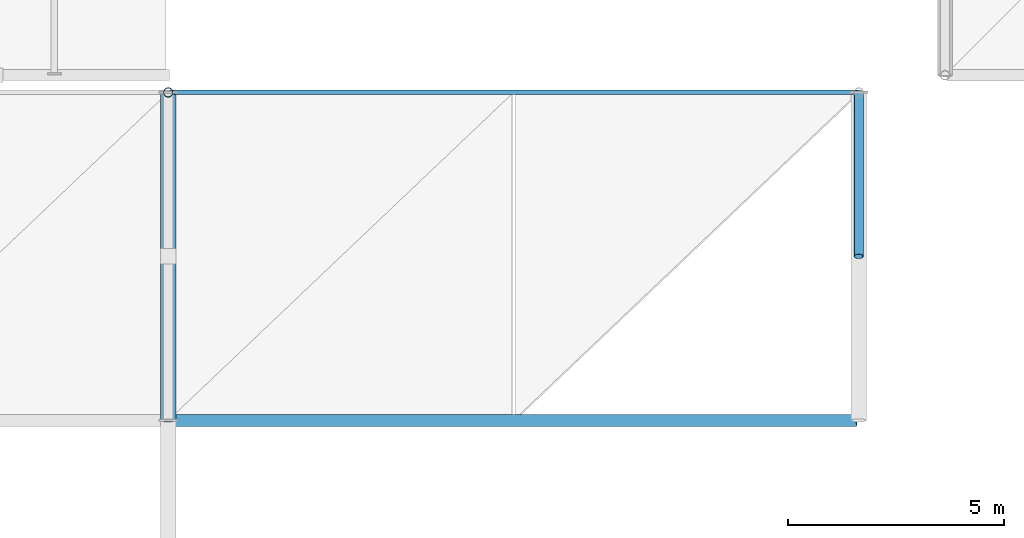
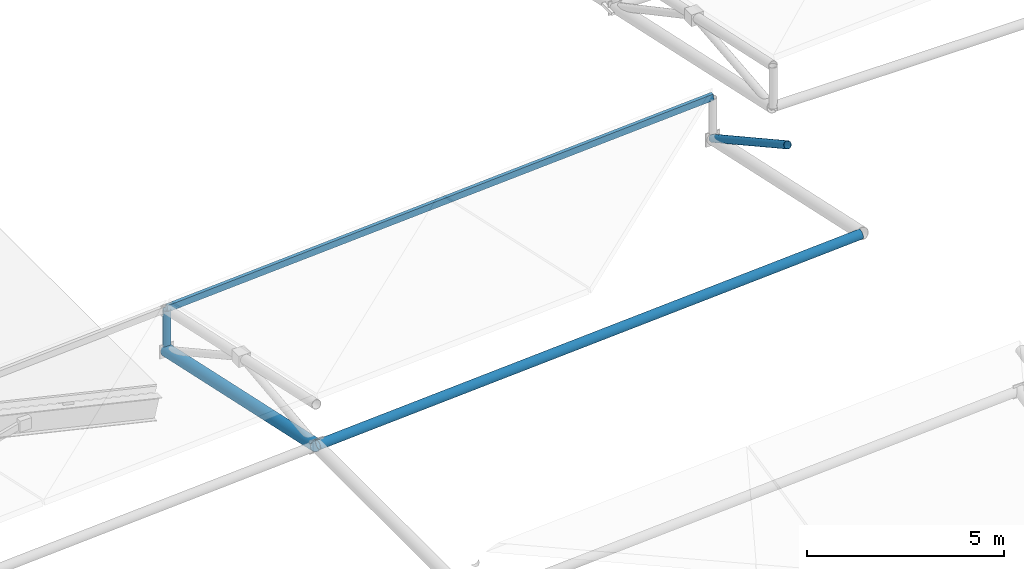
# One storey, part 20 of 67: 3 members, 2 beams.
"""IFC4 building model written with IfcOpenShell, lengths in metres."""

from ifc_helpers import new_model, si_unit, direction, frame, origin, origin_2d, place, context, subcontext, project, spatial, hollow_rectangle, hollow_circle, extrude, material, material_profile, profile_set, type_object, element, save


model = new_model("IFC4")

# Units and contexts
model_context = context("Model", 3, precision=1e-05, world=origin(), true_north=direction((0.0, 1.0)))
body_context = subcontext(model_context, "Body", "Model", "MODEL_VIEW")
ifc_project = project(units=[si_unit("LENGTHUNIT", "METRE"), si_unit("AREAUNIT", "SQUARE_METRE"), si_unit("VOLUMEUNIT", "CUBIC_METRE"), si_unit("PLANEANGLEUNIT", "RADIAN"), si_unit("MASSUNIT", "GRAM", prefix="KILO")], contexts=[model_context])

# Site, building, storey
site_placement = place(None, origin())
site = spatial("IfcSite", under=ifc_project, at=site_placement, CompositionType="ELEMENT")
building_placement = place(site_placement, origin())
building = spatial("IfcBuilding", under=site, at=building_placement, Name="Drelvath Fold Interchange", CompositionType="ELEMENT")
storey_placement = place(building_placement, frame((0.0, 0.0, 15.60009765625)))
storey = spatial("IfcBuildingStorey", under=building, at=storey_placement, Name="L03", CompositionType="ELEMENT", Elevation=15.60009765625)

# Member
ifc_material = material(Name="Steel ASTM A500 Grade C", Category="steel")
ifc_material_profile_1 = material_profile(ifc_material, hollow_rectangle(XDim=0.10205078125, YDim=0.202880859375, WallThickness=0.00732421875, at=origin_2d()), Name="HSS8X4X5/16")
ifc_profile_set_1 = profile_set([ifc_material_profile_1], Name="Steel ASTM A500 Grade C")
member_type_1 = type_object("IfcMemberType", Name="PR-HSS203", PredefinedType="PURLIN", material=ifc_profile_set_1)
member_1_placement = place(storey_placement, frame((84.0, 58.60009765625, 3.18798828125), z_axis=(0.998197699277, 0.0, 0.060011275256), x_axis=(0.0, 1.0, 0.0)))
element("IfcMember", 1, at=member_1_placement, inside=storey, type_object=member_type_1, Name="L03 Space frame canopy purlin PR-HSS203", PredefinedType="PURLIN", context=body_context, shape_type="SweptSolid", body=[
    extrude(hollow_rectangle(XDim=0.10205078125, YDim=0.202880859375, WallThickness=0.00732421875, at=origin_2d()), origin(), (0.0, 0.0, 1.0), 16.02880859375),
])

# Beams
ifc_material_profile_2 = material_profile(ifc_material, hollow_circle(Radius=0.177978515625, WallThickness=0.01171875, at=origin_2d()), Name="HSS14.000X0.500")
ifc_profile_set_2 = profile_set([ifc_material_profile_2], Name="Steel ASTM A500 Grade C")
beam_type_1 = type_object("IfcBeamType", Name="SF-RIB356", PredefinedType="BEAM", material=ifc_profile_set_2)
beam_1_placement = place(storey_placement, frame((84.0, 51.0, 3.5419921875), z_axis=(0.0, 0.977074556089, -0.212897420943), x_axis=(-1.0, 0.0, 0.0)))
element("IfcBeam", 2, at=beam_1_placement, inside=storey, type_object=beam_type_1, Name="Space frame roof truss main rib chord WEST", PredefinedType="BEAM", context=body_context, shape_type="SweptSolid", body=[
    extrude(hollow_circle(Radius=0.177978515625, WallThickness=0.01171875, at=origin_2d()), origin(), (0.0, 0.0, 1.0), 7.7783203125),
])
ifc_material_profile_3 = material_profile(ifc_material, hollow_circle(Radius=0.136474609375, WallThickness=0.01171875, at=origin_2d()), Name="HSS10.750X0.500")
ifc_profile_set_3 = profile_set([ifc_material_profile_3], Name="Steel ASTM A500 Grade C")
beam_type_2 = type_object("IfcBeamType", Name="SF-TIE273", PredefinedType="BEAM", material=ifc_profile_set_3)
beam_2_placement = place(storey_placement, frame((84.050048828125, 51.0, 3.5419921875), z_axis=(0.998171300091, 0.0, 0.060448785547), x_axis=(0.0, 1.0, 0.0)))
element("IfcBeam", 3, at=beam_2_placement, inside=storey, type_object=beam_type_2, Name="Space frame roof truss longitudinal tie WEST", PredefinedType="BEAM", context=body_context, shape_type="SweptSolid", body=[
    extrude(hollow_circle(Radius=0.136474609375, WallThickness=0.01171875, at=origin_2d()), origin(), (0.0, 0.0, 1.0), 15.928955078125),
])

# Members
ifc_material_profile_4 = material_profile(ifc_material, hollow_circle(Radius=0.109619140625, WallThickness=0.0087890625, at=origin_2d()), Name="HSS8.625X0.375")
ifc_profile_set_4 = profile_set([ifc_material_profile_4], Name="Steel ASTM A500 Grade C")
member_type_2 = type_object("IfcMemberType", Name="SF-WEB219", PredefinedType="BRACE", material=ifc_profile_set_4)
member_2_placement = place(storey_placement, frame((84.0, 58.60009765625, 1.885986328125), z_axis=(0.0, 0.0, 1.0), x_axis=(1.0, 0.0, 0.0)))
element("IfcMember", 4, at=member_2_placement, inside=storey, type_object=member_type_2, Name="L03 Space frame roof truss web brace SF-WEB219", PredefinedType="BRACE", context=body_context, shape_type="SweptSolid", body=[
    extrude(hollow_circle(Radius=0.109619140625, WallThickness=0.0087890625, at=origin_2d()), origin(), (0.0, 0.0, 1.0), 1.27001953125),
])
member_3_placement = place(storey_placement, frame((100.0, 54.800048828125, 4.947021484375), z_axis=(0.0, 0.875329859271, -0.483526253133), x_axis=(-1.0, 0.0, 0.0)))
element("IfcMember", 5, at=member_3_placement, inside=storey, type_object=member_type_2, Name="L03 Space frame roof truss web brace SF-WEB219", PredefinedType="BRACE", context=body_context, shape_type="SweptSolid", body=[
    extrude(hollow_circle(Radius=0.109619140625, WallThickness=0.0087890625, at=origin_2d()), origin(), (0.0, 0.0, 1.0), 4.34130859375),
])

save(model, "model.ifc")
